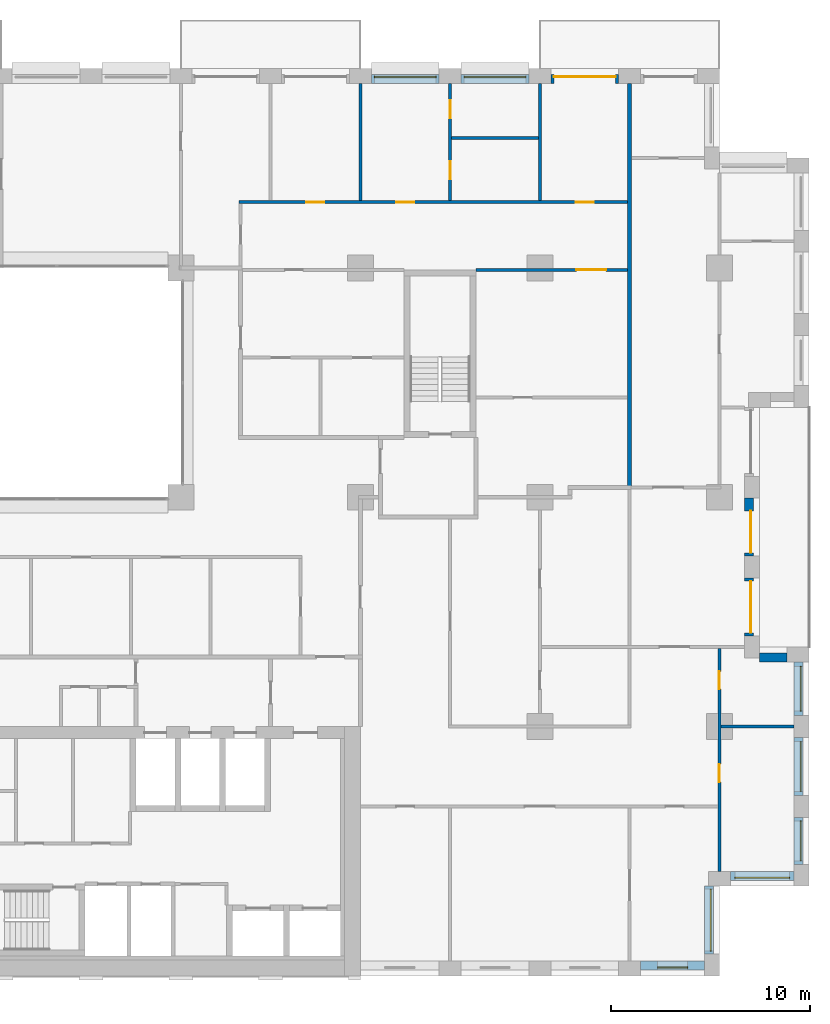
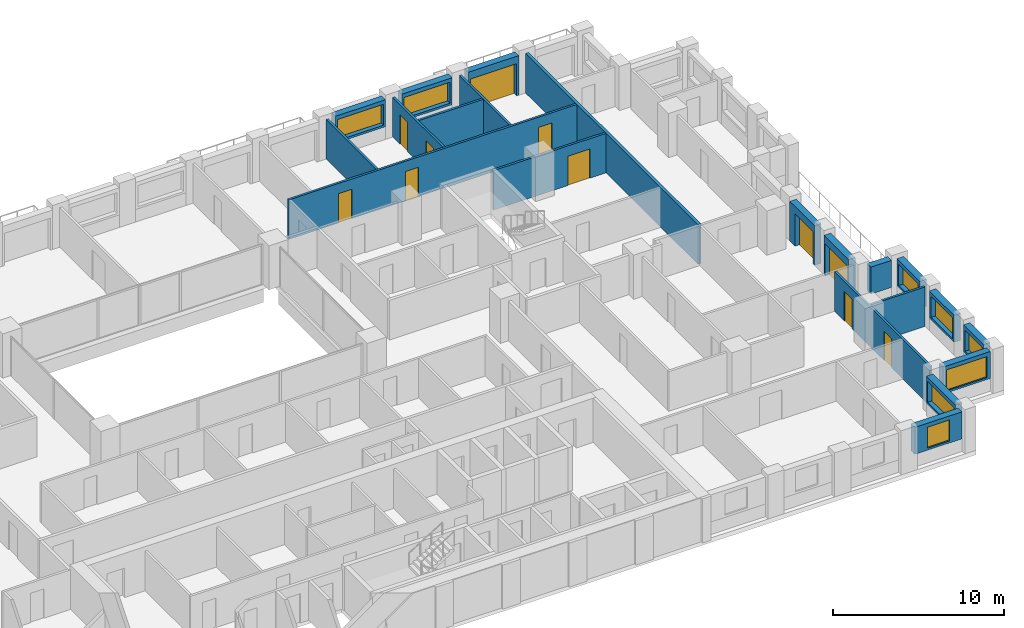
# One storey, part 14 of 16: 21 walls, 11 doors, 8 windows, 19 openings.
"""IFC4 building model written with IfcOpenShell, lengths in metres."""

from ifc_helpers import new_model, si_unit, direction, frame, frame_2d, origin, place, context, subcontext, project, spatial, rectangle, extrude, material, layer, layer_set, type_object, element, fill, save


model = new_model("IFC4")

# Units and contexts
model_context = context("Model", 3, precision=1e-05, world=origin(), true_north=direction((0.0, 1.0)))
body_context = subcontext(model_context, "Body", "Model", "MODEL_VIEW")
ifc_project = project(units=[si_unit("LENGTHUNIT", "METRE"), si_unit("AREAUNIT", "SQUARE_METRE"), si_unit("VOLUMEUNIT", "CUBIC_METRE"), si_unit("PLANEANGLEUNIT", "RADIAN"), si_unit("MASSUNIT", "GRAM", prefix="KILO")], contexts=[model_context])

# Site, building, storey
site_placement = place(None, origin())
site = spatial("IfcSite", under=ifc_project, at=site_placement, CompositionType="ELEMENT")
building_placement = place(site_placement, origin())
building = spatial("IfcBuilding", under=site, at=building_placement, Name="Brigalow Station Residences", CompositionType="ELEMENT")
storey_placement = place(building_placement, frame((0.0, 0.0, 83.550048828125)))
storey = spatial("IfcBuildingStorey", under=building, at=storey_placement, Name="L23", CompositionType="ELEMENT", Elevation=83.550048828125)

# Wall, opening, window
ifc_material_1 = material(Name="Clay brick masonry", Category="masonry")
ifc_layer_1 = layer(ifc_material_1, 0.449951171875)
ifc_layer_set_1 = layer_set([ifc_layer_1], Name="BRICK INFILL WALL 450")
wall_type_1 = type_object("IfcWallType", Name="BRICK INFILL WALL 450", PredefinedType="SOLIDWALL", material=ifc_layer_set_1)
wall_1_placement = place(storey_placement, frame((68.050048828125, 0.52490234375, 0.89990234375), z_axis=(0.0, 0.0, 1.0), x_axis=(1.0, 0.0, 0.0)))
wall_1 = element("IfcWall", 1, at=wall_1_placement, inside=storey, type_object=wall_type_1, Name="L23/ewall/W-L23-7", PredefinedType="SOLIDWALL", context=body_context, shape_type="SweptSolid", body=[
    extrude(rectangle(XDim=3.199951171875, YDim=0.449951171875, at=frame_2d((1.60009765625, 0.0))), origin(), (0.0, 0.0, 1.0), 1.929931640625),
])
opening_1_placement = place(wall_1_placement, frame((0.85009765625, 0.0, 0.14990234375)))
opening_1 = element("IfcOpeningElement", 2, at=opening_1_placement, cuts=wall_1, Name="Opening WT-1", PredefinedType="OPENING", context=body_context, shape_type="SweptSolid", body=[
    extrude(rectangle(XDim=1.5, YDim=1.5, at=frame_2d((0.75, 0.75))), frame((0.0, 0.23486328125, 0.0), z_axis=(0.0, -1.0, 0.0), x_axis=(1.0, 0.0, 0.0)), (0.0, 0.0, 1.0), 0.469970703125),
])
ifc_material_2 = material(Name="Anodised aluminium frame with double glazing", Category="aluminium")
window_type_1 = type_object("IfcWindowType", Name="WINDOW 1500x1500", PartitioningType="SINGLE_PANEL", PredefinedType="WINDOW", material=ifc_material_2)
window_1_placement = place(opening_1_placement, origin())
window_1 = element("IfcWindow", 3, at=window_1_placement, inside=storey, type_object=window_type_1, Name="L23/window/W-L23-7", OverallHeight=1.5, OverallWidth=1.5, PartitioningType="SINGLE_PANEL", PredefinedType="WINDOW", context=body_context, shape_type="SweptSolid", body=[
    extrude(rectangle(XDim=1.5, YDim=1.5, at=frame_2d((0.75, 0.75))), frame((0.0, -0.06494140625, 0.0), z_axis=(0.0, -1.0, 0.0), x_axis=(1.0, 0.0, 0.0)), (0.0, 0.0, 1.0), 0.06005859375),
])
fill(opening_1, window_1)

wall_2_placement = place(storey_placement, frame((71.47509765625, 1.10009765625, 0.89990234375), z_axis=(0.0, 0.0, 1.0), x_axis=(0.0, 1.0, 0.0)))
wall_2 = element("IfcWall", 4, at=wall_2_placement, inside=storey, type_object=wall_type_1, Name="L23/ewall/W-L23-8", PredefinedType="SOLIDWALL", context=body_context, shape_type="SweptSolid", body=[
    extrude(rectangle(XDim=3.39990234375, YDim=0.449951171875, at=frame_2d((1.699951171875, 0.0))), origin(), (0.0, 0.0, 1.0), 1.929931640625),
])
opening_2_placement = place(wall_2_placement, frame((0.14990234375, 0.0, 0.14990234375)))
opening_2 = element("IfcOpeningElement", 5, at=opening_2_placement, cuts=wall_2, Name="Opening WT-8", PredefinedType="OPENING", context=body_context, shape_type="SweptSolid", body=[
    extrude(rectangle(XDim=3.10009765625, YDim=1.5, at=frame_2d((1.550048828125, 0.75))), frame((0.0, 0.23486328125, 0.0), z_axis=(0.0, -1.0, 0.0), x_axis=(1.0, 0.0, 0.0)), (0.0, 0.0, 1.0), 0.469970703125),
])
ifc_material_3 = material(Name="Anodised aluminium frame with double glazing", Category="aluminium")
window_type_2 = type_object("IfcWindowType", Name="WINDOW 3100x1500", PartitioningType="SINGLE_PANEL", PredefinedType="WINDOW", material=ifc_material_3)
window_2_placement = place(opening_2_placement, origin())
window_2 = element("IfcWindow", 6, at=window_2_placement, inside=storey, type_object=window_type_2, Name="L23/window/W-L23-8", OverallHeight=1.5, OverallWidth=3.10009765625, PartitioningType="SINGLE_PANEL", PredefinedType="WINDOW", context=body_context, shape_type="SweptSolid", body=[
    extrude(rectangle(XDim=3.10009765625, YDim=1.5, at=frame_2d((1.550048828125, 0.75))), frame((0.0, -0.06494140625, 0.0), z_axis=(0.0, -1.0, 0.0), x_axis=(1.0, 0.0, 0.0)), (0.0, 0.0, 1.0), 0.06005859375),
])
fill(opening_2, window_2)

wall_3_placement = place(storey_placement, frame((72.550048828125, 5.02490234375, 0.89990234375), z_axis=(0.0, 0.0, 1.0), x_axis=(1.0, 0.0, 0.0)))
wall_3 = element("IfcWall", 7, at=wall_3_placement, inside=storey, type_object=wall_type_1, Name="L23/ewall/W-L23-9", PredefinedType="SOLIDWALL", context=body_context, shape_type="SweptSolid", body=[
    extrude(rectangle(XDim=3.199951171875, YDim=0.449951171875, at=frame_2d((1.60009765625, 0.0))), origin(), (0.0, 0.0, 1.0), 1.929931640625),
])
opening_3_placement = place(wall_3_placement, frame((0.22509765625, 0.0, 0.14990234375)))
opening_3 = element("IfcOpeningElement", 8, at=opening_3_placement, cuts=wall_3, Name="Opening WT-3", PredefinedType="OPENING", context=body_context, shape_type="SweptSolid", body=[
    extrude(rectangle(XDim=2.75, YDim=1.5, at=frame_2d((1.375, 0.75))), frame((0.0, 0.23486328125, 0.0), z_axis=(0.0, -1.0, 0.0), x_axis=(1.0, 0.0, 0.0)), (0.0, 0.0, 1.0), 0.469970703125),
])
ifc_material_4 = material(Name="Anodised aluminium frame with double glazing", Category="aluminium")
window_type_3 = type_object("IfcWindowType", Name="WINDOW 2750x1500", PartitioningType="SINGLE_PANEL", PredefinedType="WINDOW", material=ifc_material_4)
window_3_placement = place(opening_3_placement, origin())
window_3 = element("IfcWindow", 9, at=window_3_placement, inside=storey, type_object=window_type_3, Name="L23/window/W-L23-9", OverallHeight=1.5, OverallWidth=2.75, PartitioningType="SINGLE_PANEL", PredefinedType="WINDOW", context=body_context, shape_type="SweptSolid", body=[
    extrude(rectangle(XDim=2.75, YDim=1.5, at=frame_2d((1.375, 0.75))), frame((0.0, -0.06494140625, 0.0), z_axis=(0.0, -1.0, 0.0), x_axis=(1.0, 0.0, 0.0)), (0.0, 0.0, 1.0), 0.06005859375),
])
fill(opening_3, window_3)

wall_4_placement = place(storey_placement, frame((75.97509765625, 5.60009765625, 0.89990234375), z_axis=(0.0, 0.0, 1.0), x_axis=(0.0, 1.0, 0.0)))
wall_4 = element("IfcWall", 10, at=wall_4_placement, inside=storey, type_object=wall_type_1, Name="L23/ewall/W-L23-10", PredefinedType="SOLIDWALL", context=body_context, shape_type="SweptSolid", body=[
    extrude(rectangle(XDim=2.349853515625, YDim=0.449951171875, at=frame_2d((1.1748046875, 0.0))), origin(), (0.0, 0.0, 1.0), 1.929931640625),
])
opening_4_placement = place(wall_4_placement, frame((0.175048828125, 0.0, 0.14990234375)))
opening_4 = element("IfcOpeningElement", 11, at=opening_4_placement, cuts=wall_4, Name="Opening WT-7", PredefinedType="OPENING", context=body_context, shape_type="SweptSolid", body=[
    extrude(rectangle(XDim=2.0, YDim=1.5, at=frame_2d((1.0, 0.75))), frame((0.0, 0.23486328125, 0.0), z_axis=(0.0, -1.0, 0.0), x_axis=(1.0, 0.0, 0.0)), (0.0, 0.0, 1.0), 0.469970703125),
])
ifc_material_5 = material(Name="Anodised aluminium frame with double glazing", Category="aluminium")
window_type_4 = type_object("IfcWindowType", Name="WINDOW 2000x1500", PartitioningType="SINGLE_PANEL", PredefinedType="WINDOW", material=ifc_material_5)
window_4_placement = place(opening_4_placement, origin())
window_4 = element("IfcWindow", 12, at=window_4_placement, inside=storey, type_object=window_type_4, Name="L23/window/W-L23-10", OverallHeight=1.5, OverallWidth=2.0, PartitioningType="SINGLE_PANEL", PredefinedType="WINDOW", context=body_context, shape_type="SweptSolid", body=[
    extrude(rectangle(XDim=2.0, YDim=1.5, at=frame_2d((1.0, 0.75))), frame((0.0, -0.06494140625, 0.0), z_axis=(0.0, -1.0, 0.0), x_axis=(1.0, 0.0, 0.0)), (0.0, 0.0, 1.0), 0.06005859375),
])
fill(opening_4, window_4)

wall_5_placement = place(storey_placement, frame((75.97509765625, 9.050048828125, 0.89990234375), z_axis=(0.0, 0.0, 1.0), x_axis=(0.0, 1.0, 0.0)))
wall_5 = element("IfcWall", 13, at=wall_5_placement, inside=storey, type_object=wall_type_1, Name="L23/ewall/W-L23-11", PredefinedType="SOLIDWALL", context=body_context, shape_type="SweptSolid", body=[
    extrude(rectangle(XDim=2.89990234375, YDim=0.449951171875, at=frame_2d((1.449951171875, 0.0))), origin(), (0.0, 0.0, 1.0), 1.929931640625),
])
opening_5_placement = place(wall_5_placement, frame((0.199951171875, 0.0, 0.14990234375)))
opening_5 = element("IfcOpeningElement", 14, at=opening_5_placement, cuts=wall_5, Name="Opening WT-5", PredefinedType="OPENING", context=body_context, shape_type="SweptSolid", body=[
    extrude(rectangle(XDim=2.5, YDim=1.5, at=frame_2d((1.25, 0.75))), frame((0.0, 0.23486328125, 0.0), z_axis=(0.0, -1.0, 0.0), x_axis=(1.0, 0.0, 0.0)), (0.0, 0.0, 1.0), 0.469970703125),
])
ifc_material_6 = material(Name="Anodised aluminium frame with double glazing", Category="aluminium")
window_type_5 = type_object("IfcWindowType", Name="WINDOW 2500x1500", PartitioningType="SINGLE_PANEL", PredefinedType="WINDOW", material=ifc_material_6)
window_5_placement = place(opening_5_placement, origin())
window_5 = element("IfcWindow", 15, at=window_5_placement, inside=storey, type_object=window_type_5, Name="L23/window/W-L23-11", OverallHeight=1.5, OverallWidth=2.5, PartitioningType="SINGLE_PANEL", PredefinedType="WINDOW", context=body_context, shape_type="SweptSolid", body=[
    extrude(rectangle(XDim=2.5, YDim=1.5, at=frame_2d((1.25, 0.75))), frame((0.0, -0.06494140625, 0.0), z_axis=(0.0, -1.0, 0.0), x_axis=(1.0, 0.0, 0.0)), (0.0, 0.0, 1.0), 0.06005859375),
])
fill(opening_5, window_5)

wall_6_placement = place(storey_placement, frame((75.97509765625, 13.050048828125, 0.89990234375), z_axis=(0.0, 0.0, 1.0), x_axis=(0.0, 1.0, 0.0)))
wall_6 = element("IfcWall", 16, at=wall_6_placement, inside=storey, type_object=wall_type_1, Name="L23/ewall/W-L23-12", PredefinedType="SOLIDWALL", context=body_context, shape_type="SweptSolid", body=[
    extrude(rectangle(XDim=2.699951171875, YDim=0.449951171875, at=frame_2d((1.35009765625, 0.0))), origin(), (0.0, 0.0, 1.0), 1.929931640625),
])
opening_6_placement = place(wall_6_placement, frame((0.22509765625, 0.0, 0.14990234375)))
opening_6 = element("IfcOpeningElement", 17, at=opening_6_placement, cuts=wall_6, Name="Opening WT-6", PredefinedType="OPENING", context=body_context, shape_type="SweptSolid", body=[
    extrude(rectangle(XDim=2.25, YDim=1.5, at=frame_2d((1.125, 0.75))), frame((0.0, 0.23486328125, 0.0), z_axis=(0.0, -1.0, 0.0), x_axis=(1.0, 0.0, 0.0)), (0.0, 0.0, 1.0), 0.469970703125),
])
ifc_material_7 = material(Name="Anodised aluminium frame with double glazing", Category="aluminium")
window_type_6 = type_object("IfcWindowType", Name="WINDOW 2250x1500", PartitioningType="SINGLE_PANEL", PredefinedType="WINDOW", material=ifc_material_7)
window_6_placement = place(opening_6_placement, origin())
window_6 = element("IfcWindow", 18, at=window_6_placement, inside=storey, type_object=window_type_6, Name="L23/window/W-L23-12", OverallHeight=1.5, OverallWidth=2.25, PartitioningType="SINGLE_PANEL", PredefinedType="WINDOW", context=body_context, shape_type="SweptSolid", body=[
    extrude(rectangle(XDim=2.25, YDim=1.5, at=frame_2d((1.125, 0.75))), frame((0.0, -0.06494140625, 0.0), z_axis=(0.0, -1.0, 0.0), x_axis=(1.0, 0.0, 0.0)), (0.0, 0.0, 1.0), 0.06005859375),
])
fill(opening_6, window_6)

# Wall
wall_7_placement = place(storey_placement, frame((75.39990234375, 15.97509765625, 0.89990234375), z_axis=(0.0, 0.0, 1.0), x_axis=(-1.0, 0.0, 0.0)))
element("IfcWall", 19, at=wall_7_placement, inside=storey, type_object=wall_type_1, Name="L23/ewall/W-L23-13", PredefinedType="SOLIDWALL", context=body_context, shape_type="SweptSolid", body=[
    extrude(rectangle(XDim=1.39990234375, YDim=0.449951171875, at=frame_2d((0.699951171875, 0.0))), origin(), (0.0, 0.0, 1.0), 1.929931640625),
])

# Wall, opening, door
wall_8_placement = place(storey_placement, frame((73.47509765625, 17.050048828125, 0.0), z_axis=(0.0, 0.0, 1.0), x_axis=(0.0, 1.0, 0.0)))
wall_8 = element("IfcWall", 20, at=wall_8_placement, inside=storey, type_object=wall_type_1, Name="L23/ewall/W-L23-14", PredefinedType="SOLIDWALL", context=body_context, shape_type="SweptSolid", body=[
    extrude(rectangle(XDim=2.89990234375, YDim=0.449951171875, at=frame_2d((1.449951171875, 0.0))), origin(), (0.0, 0.0, 1.0), 2.829833984375),
])
opening_7_placement = place(wall_8_placement, frame((0.14990234375, 0.0, 0.0)))
opening_7 = element("IfcOpeningElement", 21, at=opening_7_placement, cuts=wall_8, Name="Opening D-B2600", PredefinedType="OPENING", context=body_context, shape_type="SweptSolid", body=[
    extrude(rectangle(XDim=2.60009765625, YDim=2.300048828125, at=frame_2d((1.300048828125, 1.14990234375))), frame((0.0, 0.23486328125, 0.0), z_axis=(0.0, -1.0, 0.0), x_axis=(1.0, 0.0, 0.0)), (0.0, 0.0, 1.0), 0.469970703125),
])
ifc_material_8 = material(Name="Anodised aluminium frame with double glazing", Category="aluminium")
door_type_1 = type_object("IfcDoorType", Name="BALCONY SLIDING DOOR 2600x2300", OperationType="SLIDING_TO_LEFT", PredefinedType="DOOR", material=ifc_material_8)
door_1_placement = place(opening_7_placement, origin())
door_1 = element("IfcDoor", 22, at=door_1_placement, inside=storey, type_object=door_type_1, Name="L23/balcony-door/W-L23-14", OperationType="SLIDING_TO_LEFT", OverallHeight=2.300048828125, OverallWidth=2.60009765625, PredefinedType="DOOR", context=body_context, shape_type="SweptSolid", body=[
    extrude(rectangle(XDim=2.60009765625, YDim=2.300048828125, at=frame_2d((1.300048828125, 1.14990234375))), frame((0.0, -0.06982421875, 0.0), z_axis=(0.0, -1.0, 0.0), x_axis=(1.0, 0.0, 0.0)), (0.0, 0.0, 1.0), 0.050048828125),
])
fill(opening_7, door_1)

wall_9_placement = place(storey_placement, frame((73.47509765625, 21.050048828125, 0.0), z_axis=(0.0, 0.0, 1.0), x_axis=(0.0, 1.0, 0.0)))
wall_9 = element("IfcWall", 23, at=wall_9_placement, inside=storey, type_object=wall_type_1, Name="L23/ewall/W-L23-15", PredefinedType="SOLIDWALL", context=body_context, shape_type="SweptSolid", body=[
    extrude(rectangle(XDim=2.89990234375, YDim=0.449951171875, at=frame_2d((1.449951171875, 0.0))), origin(), (0.0, 0.0, 1.0), 2.829833984375),
])
opening_8_placement = place(wall_9_placement, frame((0.1650390625, 0.0, 0.0)))
opening_8 = element("IfcOpeningElement", 24, at=opening_8_placement, cuts=wall_9, Name="Opening D-B2100", PredefinedType="OPENING", context=body_context, shape_type="SweptSolid", body=[
    extrude(rectangle(XDim=2.10009765625, YDim=2.300048828125, at=frame_2d((1.050048828125, 1.14990234375))), frame((0.0, 0.23486328125, 0.0), z_axis=(0.0, -1.0, 0.0), x_axis=(1.0, 0.0, 0.0)), (0.0, 0.0, 1.0), 0.469970703125),
])
ifc_material_9 = material(Name="Anodised aluminium frame with double glazing", Category="aluminium")
door_type_2 = type_object("IfcDoorType", Name="BALCONY SLIDING DOOR 2100x2300", OperationType="SLIDING_TO_LEFT", PredefinedType="DOOR", material=ifc_material_9)
door_2_placement = place(opening_8_placement, origin())
door_2 = element("IfcDoor", 25, at=door_2_placement, inside=storey, type_object=door_type_2, Name="L23/balcony-door/W-L23-15", OperationType="SLIDING_TO_LEFT", OverallHeight=2.300048828125, OverallWidth=2.10009765625, PredefinedType="DOOR", context=body_context, shape_type="SweptSolid", body=[
    extrude(rectangle(XDim=2.10009765625, YDim=2.300048828125, at=frame_2d((1.050048828125, 1.14990234375))), frame((0.0, -0.06982421875, 0.0), z_axis=(0.0, -1.0, 0.0), x_axis=(1.0, 0.0, 0.0)), (0.0, 0.0, 1.0), 0.050048828125),
])
fill(opening_8, door_2)

wall_10_placement = place(storey_placement, frame((66.949951171875, 44.97509765625, 0.0), z_axis=(0.0, 0.0, 1.0), x_axis=(-1.0, 0.0, 0.0)))
wall_10 = element("IfcWall", 26, at=wall_10_placement, inside=storey, type_object=wall_type_1, Name="L23/ewall/W-L23-24", PredefinedType="SOLIDWALL", context=body_context, shape_type="SweptSolid", body=[
    extrude(rectangle(XDim=3.39990234375, YDim=0.449951171875, at=frame_2d((1.699951171875, 0.0))), origin(), (0.0, 0.0, 1.0), 2.829833984375),
])
opening_9_placement = place(wall_10_placement, frame((0.14990234375, 0.0, 0.0)))
opening_9 = element("IfcOpeningElement", 27, at=opening_9_placement, cuts=wall_10, Name="Opening D-B3100", PredefinedType="OPENING", context=body_context, shape_type="SweptSolid", body=[
    extrude(rectangle(XDim=3.10009765625, YDim=2.300048828125, at=frame_2d((1.550048828125, 1.14990234375))), frame((0.0, 0.23486328125, 0.0), z_axis=(0.0, -1.0, 0.0), x_axis=(1.0, 0.0, 0.0)), (0.0, 0.0, 1.0), 0.469970703125),
])
ifc_material_10 = material(Name="Anodised aluminium frame with double glazing", Category="aluminium")
door_type_3 = type_object("IfcDoorType", Name="BALCONY SLIDING DOOR 3100x2300", OperationType="SLIDING_TO_LEFT", PredefinedType="DOOR", material=ifc_material_10)
door_3_placement = place(opening_9_placement, origin())
door_3 = element("IfcDoor", 28, at=door_3_placement, inside=storey, type_object=door_type_3, Name="L23/balcony-door/W-L23-24", OperationType="SLIDING_TO_LEFT", OverallHeight=2.300048828125, OverallWidth=3.10009765625, PredefinedType="DOOR", context=body_context, shape_type="SweptSolid", body=[
    extrude(rectangle(XDim=3.10009765625, YDim=2.300048828125, at=frame_2d((1.550048828125, 1.14990234375))), frame((0.0, -0.06982421875, 0.0), z_axis=(0.0, -1.0, 0.0), x_axis=(1.0, 0.0, 0.0)), (0.0, 0.0, 1.0), 0.050048828125),
])
fill(opening_9, door_3)

# Wall, opening, window
wall_11_placement = place(storey_placement, frame((62.449951171875, 44.97509765625, 0.89990234375), z_axis=(0.0, 0.0, 1.0), x_axis=(-1.0, 0.0, 0.0)))
wall_11 = element("IfcWall", 29, at=wall_11_placement, inside=storey, type_object=wall_type_1, Name="L23/ewall/W-L23-25", PredefinedType="SOLIDWALL", context=body_context, shape_type="SweptSolid", body=[
    extrude(rectangle(XDim=3.39990234375, YDim=0.449951171875, at=frame_2d((1.699951171875, 0.0))), origin(), (0.0, 0.0, 1.0), 1.929931640625),
])
opening_10_placement = place(wall_11_placement, frame((0.14990234375, 0.0, 0.14990234375)))
opening_10 = element("IfcOpeningElement", 30, at=opening_10_placement, cuts=wall_11, Name="Opening WT-8", PredefinedType="OPENING", context=body_context, shape_type="SweptSolid", body=[
    extrude(rectangle(XDim=3.10009765625, YDim=1.5, at=frame_2d((1.550048828125, 0.75))), frame((0.0, 0.23486328125, 0.0), z_axis=(0.0, -1.0, 0.0), x_axis=(1.0, 0.0, 0.0)), (0.0, 0.0, 1.0), 0.469970703125),
])
window_7_placement = place(opening_10_placement, origin())
window_7 = element("IfcWindow", 31, at=window_7_placement, inside=storey, type_object=window_type_2, Name="L23/window/W-L23-25", OverallHeight=1.5, OverallWidth=3.10009765625, PartitioningType="SINGLE_PANEL", PredefinedType="WINDOW", context=body_context, shape_type="SweptSolid", body=[
    extrude(rectangle(XDim=3.10009765625, YDim=1.5, at=frame_2d((1.550048828125, 0.75))), frame((0.0, -0.06494140625, 0.0), z_axis=(0.0, -1.0, 0.0), x_axis=(1.0, 0.0, 0.0)), (0.0, 0.0, 1.0), 0.06005859375),
])
fill(opening_10, window_7)

wall_12_placement = place(storey_placement, frame((57.949951171875, 44.97509765625, 0.89990234375), z_axis=(0.0, 0.0, 1.0), x_axis=(-1.0, 0.0, 0.0)))
wall_12 = element("IfcWall", 32, at=wall_12_placement, inside=storey, type_object=wall_type_1, Name="L23/ewall/W-L23-26", PredefinedType="SOLIDWALL", context=body_context, shape_type="SweptSolid", body=[
    extrude(rectangle(XDim=3.39990234375, YDim=0.449951171875, at=frame_2d((1.699951171875, 0.0))), origin(), (0.0, 0.0, 1.0), 1.929931640625),
])
opening_11_placement = place(wall_12_placement, frame((0.14990234375, 0.0, 0.14990234375)))
opening_11 = element("IfcOpeningElement", 33, at=opening_11_placement, cuts=wall_12, Name="Opening WT-8", PredefinedType="OPENING", context=body_context, shape_type="SweptSolid", body=[
    extrude(rectangle(XDim=3.10009765625, YDim=1.5, at=frame_2d((1.550048828125, 0.75))), frame((0.0, 0.23486328125, 0.0), z_axis=(0.0, -1.0, 0.0), x_axis=(1.0, 0.0, 0.0)), (0.0, 0.0, 1.0), 0.469970703125),
])
window_8_placement = place(opening_11_placement, origin())
window_8 = element("IfcWindow", 34, at=window_8_placement, inside=storey, type_object=window_type_2, Name="L23/window/W-L23-26", OverallHeight=1.5, OverallWidth=3.10009765625, PartitioningType="SINGLE_PANEL", PredefinedType="WINDOW", context=body_context, shape_type="SweptSolid", body=[
    extrude(rectangle(XDim=3.10009765625, YDim=1.5, at=frame_2d((1.550048828125, 0.75))), frame((0.0, -0.06494140625, 0.0), z_axis=(0.0, -1.0, 0.0), x_axis=(1.0, 0.0, 0.0)), (0.0, 0.0, 1.0), 0.06005859375),
])
fill(opening_11, window_8)

# Wall
ifc_material_11 = material(Name="Plasterboard on steel stud partition", Category="steel")
ifc_layer_2 = layer(ifc_material_11, 0.14990234375)
ifc_layer_set_2 = layer_set([ifc_layer_2], Name="FLAT PARTITION 150")
wall_type_2 = type_object("IfcWallType", Name="FLAT PARTITION 150", PredefinedType="PARTITIONING", material=ifc_layer_set_2)
wall_13_placement = place(storey_placement, frame((72.074951171875, 12.5, 0.0), z_axis=(0.0, 0.0, 1.0), x_axis=(1.0, 0.0, 0.0)))
element("IfcWall", 35, at=wall_13_placement, inside=storey, type_object=wall_type_2, Name="PW-2A18", PredefinedType="PARTITIONING", context=body_context, shape_type="SweptSolid", body=[
    extrude(rectangle(XDim=3.675048828125, YDim=0.14990234375, at=frame_2d((1.83740234375, 0.0))), origin(), (0.0, 0.0, 1.0), 2.829833984375),
])

# Wall, opening, door
wall_14_placement = place(storey_placement, frame((59.800048828125, 35.39990234375, 0.0), z_axis=(0.0, 0.0, 1.0), x_axis=(1.0, 0.0, 0.0)))
wall_14 = element("IfcWall", 36, at=wall_14_placement, inside=storey, type_object=wall_type_2, Name="PW-2A30", PredefinedType="PARTITIONING", context=body_context, shape_type="SweptSolid", body=[
    extrude(rectangle(XDim=7.599853515625, YDim=0.14990234375, at=frame_2d((3.7998046875, 0.0))), origin(), (0.0, 0.0, 1.0), 2.829833984375),
])
opening_12_placement = place(wall_14_placement, frame((5.02490234375, 0.0, 0.0)))
opening_12 = element("IfcOpeningElement", 37, at=opening_12_placement, cuts=wall_14, Name="Opening D-2A32", PredefinedType="OPENING", context=body_context, shape_type="SweptSolid", body=[
    extrude(rectangle(XDim=1.5, YDim=2.10009765625, at=frame_2d((0.75, 1.050048828125))), frame((0.0, 0.0849609375, 0.0), z_axis=(0.0, -1.0, 0.0), x_axis=(1.0, 0.0, 0.0)), (0.0, 0.0, 1.0), 0.169921875),
])
ifc_material_12 = material(Name="Solid-core timber door leaf", Category="wood")
door_type_4 = type_object("IfcDoorType", Name="INTERNAL DOUBLE DOOR 1500 x 2100", OperationType="DOUBLE_DOOR_SINGLE_SWING", PredefinedType="DOOR", material=ifc_material_12)
door_4_placement = place(opening_12_placement, frame((1.5, 0.0, 0.0), z_axis=(0.0, 0.0, 1.0), x_axis=(-1.0, 0.0, 0.0)))
door_4 = element("IfcDoor", 38, at=door_4_placement, inside=storey, type_object=door_type_4, Name="D-2A32", OperationType="DOUBLE_DOOR_SINGLE_SWING", OverallHeight=2.10009765625, OverallWidth=1.5, PredefinedType="DOOR", context=body_context, shape_type="SweptSolid", body=[
    extrude(rectangle(XDim=1.5, YDim=2.10009765625, at=frame_2d((0.75, 1.050048828125))), frame((0.0, 0.02490234375, 0.0), z_axis=(0.0, -1.0, 0.0), x_axis=(1.0, 0.0, 0.0)), (0.0, 0.0, 1.0), 0.050048828125),
])
fill(opening_12, door_4)

# Wall, openings, doors
wall_15_placement = place(storey_placement, frame((47.925048828125, 38.800048828125, 0.0), z_axis=(0.0, 0.0, 1.0), x_axis=(1.0, 0.0, 0.0)))
wall_15 = element("IfcWall", 39, at=wall_15_placement, inside=storey, type_object=wall_type_2, Name="PW-2A34", PredefinedType="PARTITIONING", context=body_context, shape_type="SweptSolid", body=[
    extrude(rectangle(XDim=19.474853515625, YDim=0.14990234375, at=frame_2d((9.7373046875, 0.0))), origin(), (0.0, 0.0, 1.0), 2.829833984375),
])
opening_13_placement = place(wall_15_placement, frame((3.375, 0.0, 0.0)))
opening_13 = element("IfcOpeningElement", 40, at=opening_13_placement, cuts=wall_15, Name="Opening D-2A27", PredefinedType="OPENING", context=body_context, shape_type="SweptSolid", body=[
    extrude(rectangle(XDim=0.89990234375, YDim=2.10009765625, at=frame_2d((0.449951171875, 1.050048828125))), frame((0.0, 0.0849609375, 0.0), z_axis=(0.0, -1.0, 0.0), x_axis=(1.0, 0.0, 0.0)), (0.0, 0.0, 1.0), 0.169921875),
])
opening_14_placement = place(wall_15_placement, frame((7.875, 0.0, 0.0)))
opening_14 = element("IfcOpeningElement", 41, at=opening_14_placement, cuts=wall_15, Name="Opening D-2A28", PredefinedType="OPENING", context=body_context, shape_type="SweptSolid", body=[
    extrude(rectangle(XDim=0.89990234375, YDim=2.10009765625, at=frame_2d((0.449951171875, 1.050048828125))), frame((0.0, 0.0849609375, 0.0), z_axis=(0.0, -1.0, 0.0), x_axis=(1.0, 0.0, 0.0)), (0.0, 0.0, 1.0), 0.169921875),
])
opening_15_placement = place(wall_15_placement, frame((16.875, 0.0, 0.0)))
opening_15 = element("IfcOpeningElement", 42, at=opening_15_placement, cuts=wall_15, Name="Opening D-2A31", PredefinedType="OPENING", context=body_context, shape_type="SweptSolid", body=[
    extrude(rectangle(XDim=0.89990234375, YDim=2.10009765625, at=frame_2d((0.449951171875, 1.050048828125))), frame((0.0, 0.0849609375, 0.0), z_axis=(0.0, -1.0, 0.0), x_axis=(1.0, 0.0, 0.0)), (0.0, 0.0, 1.0), 0.169921875),
])
ifc_material_13 = material(Name="Solid-core timber door leaf", Category="wood")
door_type_5 = type_object("IfcDoorType", Name="INTERNAL DOOR 900 x 2100", OperationType="SINGLE_SWING_LEFT", PredefinedType="DOOR", material=ifc_material_13)
door_5_placement = place(opening_13_placement, origin())
door_5 = element("IfcDoor", 43, at=door_5_placement, inside=storey, type_object=door_type_5, Name="D-2A27", OperationType="SINGLE_SWING_RIGHT", OverallHeight=2.10009765625, OverallWidth=0.89990234375, PredefinedType="DOOR", context=body_context, shape_type="SweptSolid", body=[
    extrude(rectangle(XDim=0.89990234375, YDim=2.10009765625, at=frame_2d((0.449951171875, 1.050048828125))), frame((0.0, 0.02490234375, 0.0), z_axis=(0.0, -1.0, 0.0), x_axis=(1.0, 0.0, 0.0)), (0.0, 0.0, 1.0), 0.050048828125),
])
fill(opening_13, door_5)
door_6_placement = place(opening_14_placement, origin())
door_6 = element("IfcDoor", 44, at=door_6_placement, inside=storey, type_object=door_type_5, Name="D-2A28", OperationType="SINGLE_SWING_RIGHT", OverallHeight=2.10009765625, OverallWidth=0.89990234375, PredefinedType="DOOR", context=body_context, shape_type="SweptSolid", body=[
    extrude(rectangle(XDim=0.89990234375, YDim=2.10009765625, at=frame_2d((0.449951171875, 1.050048828125))), frame((0.0, 0.02490234375, 0.0), z_axis=(0.0, -1.0, 0.0), x_axis=(1.0, 0.0, 0.0)), (0.0, 0.0, 1.0), 0.050048828125),
])
fill(opening_14, door_6)
door_7_placement = place(opening_15_placement, origin())
door_7 = element("IfcDoor", 45, at=door_7_placement, inside=storey, type_object=door_type_5, Name="D-2A31", OperationType="SINGLE_SWING_RIGHT", OverallHeight=2.10009765625, OverallWidth=0.89990234375, PredefinedType="DOOR", context=body_context, shape_type="SweptSolid", body=[
    extrude(rectangle(XDim=0.89990234375, YDim=2.10009765625, at=frame_2d((0.449951171875, 1.050048828125))), frame((0.0, 0.02490234375, 0.0), z_axis=(0.0, -1.0, 0.0), x_axis=(1.0, 0.0, 0.0)), (0.0, 0.0, 1.0), 0.050048828125),
])
fill(opening_15, door_7)

# Walls
wall_16_placement = place(storey_placement, frame((58.574951171875, 42.0, 0.0), z_axis=(0.0, 0.0, 1.0), x_axis=(1.0, 0.0, 0.0)))
element("IfcWall", 46, at=wall_16_placement, inside=storey, type_object=wall_type_2, Name="PW-2A36", PredefinedType="PARTITIONING", context=body_context, shape_type="SweptSolid", body=[
    extrude(rectangle(XDim=4.35009765625, YDim=0.14990234375, at=frame_2d((2.175048828125, 0.0))), origin(), (0.0, 0.0, 1.0), 2.829833984375),
])
wall_17_placement = place(storey_placement, frame((54.0, 38.875, 0.0), z_axis=(0.0, 0.0, 1.0), x_axis=(0.0, 1.0, 0.0)))
element("IfcWall", 47, at=wall_17_placement, inside=storey, type_object=wall_type_2, Name="PW-2A41", PredefinedType="PARTITIONING", context=body_context, shape_type="SweptSolid", body=[
    extrude(rectangle(XDim=5.875, YDim=0.14990234375, at=frame_2d((2.9375, 0.0))), origin(), (0.0, 0.0, 1.0), 2.829833984375),
])

# Wall, openings, doors
wall_18_placement = place(storey_placement, frame((58.5, 38.875, 0.0), z_axis=(0.0, 0.0, 1.0), x_axis=(0.0, 1.0, 0.0)))
wall_18 = element("IfcWall", 48, at=wall_18_placement, inside=storey, type_object=wall_type_2, Name="PW-2A66", PredefinedType="PARTITIONING", context=body_context, shape_type="SweptSolid", body=[
    extrude(rectangle(XDim=5.875, YDim=0.14990234375, at=frame_2d((2.9375, 0.0))), origin(), (0.0, 0.0, 1.0), 2.829833984375),
])
opening_16_placement = place(wall_18_placement, frame((1.074951171875, 0.0, 0.0)))
opening_16 = element("IfcOpeningElement", 49, at=opening_16_placement, cuts=wall_18, Name="Opening D-2A29", PredefinedType="OPENING", context=body_context, shape_type="SweptSolid", body=[
    extrude(rectangle(XDim=0.89990234375, YDim=2.10009765625, at=frame_2d((0.449951171875, 1.050048828125))), frame((0.0, 0.0849609375, 0.0), z_axis=(0.0, -1.0, 0.0), x_axis=(1.0, 0.0, 0.0)), (0.0, 0.0, 1.0), 0.169921875),
])
opening_17_placement = place(wall_18_placement, frame((4.125, 0.0, 0.0)))
opening_17 = element("IfcOpeningElement", 50, at=opening_17_placement, cuts=wall_18, Name="Opening D-2A30", PredefinedType="OPENING", context=body_context, shape_type="SweptSolid", body=[
    extrude(rectangle(XDim=0.89990234375, YDim=2.10009765625, at=frame_2d((0.449951171875, 1.050048828125))), frame((0.0, 0.0849609375, 0.0), z_axis=(0.0, -1.0, 0.0), x_axis=(1.0, 0.0, 0.0)), (0.0, 0.0, 1.0), 0.169921875),
])
door_8_placement = place(opening_16_placement, frame((0.89990234375, 0.0, 0.0), z_axis=(0.0, 0.0, 1.0), x_axis=(-1.0, 0.0, 0.0)))
door_8 = element("IfcDoor", 51, at=door_8_placement, inside=storey, type_object=door_type_5, Name="D-2A29", OperationType="SINGLE_SWING_LEFT", OverallHeight=2.10009765625, OverallWidth=0.89990234375, PredefinedType="DOOR", context=body_context, shape_type="SweptSolid", body=[
    extrude(rectangle(XDim=0.89990234375, YDim=2.10009765625, at=frame_2d((0.449951171875, 1.050048828125))), frame((0.0, 0.02490234375, 0.0), z_axis=(0.0, -1.0, 0.0), x_axis=(1.0, 0.0, 0.0)), (0.0, 0.0, 1.0), 0.050048828125),
])
fill(opening_16, door_8)
door_9_placement = place(opening_17_placement, frame((0.89990234375, 0.0, 0.0), z_axis=(0.0, 0.0, 1.0), x_axis=(-1.0, 0.0, 0.0)))
door_9 = element("IfcDoor", 52, at=door_9_placement, inside=storey, type_object=door_type_5, Name="D-2A30", OperationType="SINGLE_SWING_LEFT", OverallHeight=2.10009765625, OverallWidth=0.89990234375, PredefinedType="DOOR", context=body_context, shape_type="SweptSolid", body=[
    extrude(rectangle(XDim=0.89990234375, YDim=2.10009765625, at=frame_2d((0.449951171875, 1.050048828125))), frame((0.0, 0.02490234375, 0.0), z_axis=(0.0, -1.0, 0.0), x_axis=(1.0, 0.0, 0.0)), (0.0, 0.0, 1.0), 0.050048828125),
])
fill(opening_17, door_9)

# Wall
wall_19_placement = place(storey_placement, frame((63.0, 38.875, 0.0), z_axis=(0.0, 0.0, 1.0), x_axis=(0.0, 1.0, 0.0)))
element("IfcWall", 53, at=wall_19_placement, inside=storey, type_object=wall_type_2, Name="PW-2A68", PredefinedType="PARTITIONING", context=body_context, shape_type="SweptSolid", body=[
    extrude(rectangle(XDim=5.875, YDim=0.14990234375, at=frame_2d((2.9375, 0.0))), origin(), (0.0, 0.0, 1.0), 2.829833984375),
])

# Wall, openings, doors
wall_20_placement = place(storey_placement, frame((72.0, 5.25, 0.0), z_axis=(0.0, 0.0, 1.0), x_axis=(0.0, 1.0, 0.0)))
wall_20 = element("IfcWall", 54, at=wall_20_placement, inside=storey, type_object=wall_type_2, Name="PW-2A70", PredefinedType="PARTITIONING", context=body_context, shape_type="SweptSolid", body=[
    extrude(rectangle(XDim=11.175048828125, YDim=0.14990234375, at=frame_2d((5.58740234375, 0.0))), origin(), (0.0, 0.0, 1.0), 2.829833984375),
])
opening_18_placement = place(wall_20_placement, frame((4.47509765625, 0.0, 0.0)))
opening_18 = element("IfcOpeningElement", 55, at=opening_18_placement, cuts=wall_20, Name="Opening D-2A39", PredefinedType="OPENING", context=body_context, shape_type="SweptSolid", body=[
    extrude(rectangle(XDim=0.89990234375, YDim=2.10009765625, at=frame_2d((0.449951171875, 1.050048828125))), frame((0.0, 0.0849609375, 0.0), z_axis=(0.0, -1.0, 0.0), x_axis=(1.0, 0.0, 0.0)), (0.0, 0.0, 1.0), 0.169921875),
])
opening_19_placement = place(wall_20_placement, frame((9.125, 0.0, 0.0)))
opening_19 = element("IfcOpeningElement", 56, at=opening_19_placement, cuts=wall_20, Name="Opening D-2A43", PredefinedType="OPENING", context=body_context, shape_type="SweptSolid", body=[
    extrude(rectangle(XDim=0.89990234375, YDim=2.10009765625, at=frame_2d((0.449951171875, 1.050048828125))), frame((0.0, 0.0849609375, 0.0), z_axis=(0.0, -1.0, 0.0), x_axis=(1.0, 0.0, 0.0)), (0.0, 0.0, 1.0), 0.169921875),
])
door_10_placement = place(opening_18_placement, frame((0.89990234375, 0.0, 0.0), z_axis=(0.0, 0.0, 1.0), x_axis=(-1.0, 0.0, 0.0)))
door_10 = element("IfcDoor", 57, at=door_10_placement, inside=storey, type_object=door_type_5, Name="D-2A39", OperationType="SINGLE_SWING_LEFT", OverallHeight=2.10009765625, OverallWidth=0.89990234375, PredefinedType="DOOR", context=body_context, shape_type="SweptSolid", body=[
    extrude(rectangle(XDim=0.89990234375, YDim=2.10009765625, at=frame_2d((0.449951171875, 1.050048828125))), frame((0.0, 0.02490234375, 0.0), z_axis=(0.0, -1.0, 0.0), x_axis=(1.0, 0.0, 0.0)), (0.0, 0.0, 1.0), 0.050048828125),
])
fill(opening_18, door_10)
door_11_placement = place(opening_19_placement, frame((0.89990234375, 0.0, 0.0), z_axis=(0.0, 0.0, 1.0), x_axis=(-1.0, 0.0, 0.0)))
door_11 = element("IfcDoor", 58, at=door_11_placement, inside=storey, type_object=door_type_5, Name="D-2A43", OperationType="SINGLE_SWING_LEFT", OverallHeight=2.10009765625, OverallWidth=0.89990234375, PredefinedType="DOOR", context=body_context, shape_type="SweptSolid", body=[
    extrude(rectangle(XDim=0.89990234375, YDim=2.10009765625, at=frame_2d((0.449951171875, 1.050048828125))), frame((0.0, 0.02490234375, 0.0), z_axis=(0.0, -1.0, 0.0), x_axis=(1.0, 0.0, 0.0)), (0.0, 0.0, 1.0), 0.050048828125),
])
fill(opening_19, door_11)

# Wall
ifc_material_14 = material(Name="Plasterboard on steel stud partition", Category="steel")
ifc_layer_3 = layer(ifc_material_14, 0.199951171875)
ifc_layer_set_3 = layer_set([ifc_layer_3], Name="PARTY AND CORRIDOR WALL 200")
wall_type_3 = type_object("IfcWallType", Name="PARTY AND CORRIDOR WALL 200", PredefinedType="PARTITIONING", material=ifc_layer_set_3)
wall_21_placement = place(storey_placement, frame((67.5, 24.574951171875, 0.0), z_axis=(0.0, 0.0, 1.0), x_axis=(0.0, 1.0, 0.0)))
element("IfcWall", 59, at=wall_21_placement, inside=storey, type_object=wall_type_3, Name="PW-2A63", PredefinedType="PARTITIONING", context=body_context, shape_type="SweptSolid", body=[
    extrude(rectangle(XDim=20.175048828125, YDim=0.199951171875, at=frame_2d((10.08740234375, 0.0))), origin(), (0.0, 0.0, 1.0), 2.829833984375),
])

save(model, "model.ifc")
